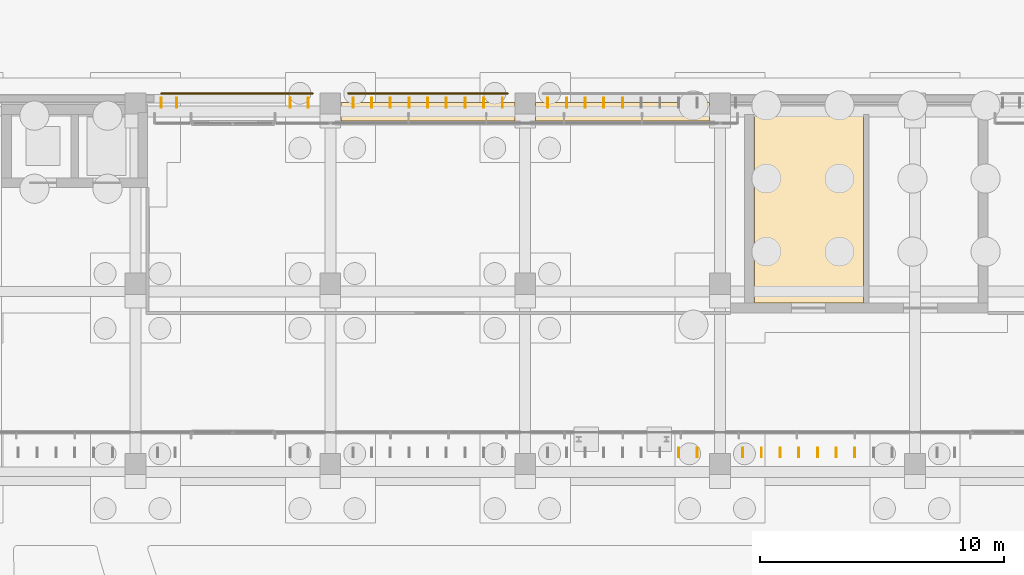
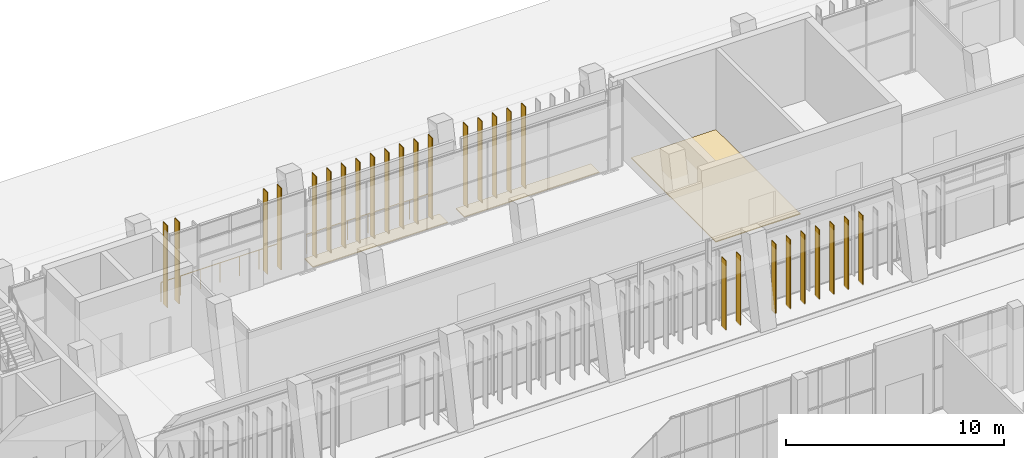
# One storey, part 135 of 144: 27 shading devices, 3 coverings, 2 railings.
"""IFC4 building model written with IfcOpenShell, lengths in metres."""

from ifc_helpers import new_model, si_unit, direction, frame, origin, origin_2d, place, context, subcontext, project, spatial, polyline, rectangle, circle, outline, extrude, material, layer, layer_set, type_object, element, save


model = new_model("IFC4")

# Units and contexts
model_context = context("Model", 3, precision=1e-05, world=origin(), true_north=direction((0.0, 1.0)))
body_context = subcontext(model_context, "Body", "Model", "MODEL_VIEW")
ifc_project = project(units=[si_unit("LENGTHUNIT", "METRE"), si_unit("AREAUNIT", "SQUARE_METRE"), si_unit("VOLUMEUNIT", "CUBIC_METRE"), si_unit("PLANEANGLEUNIT", "RADIAN"), si_unit("MASSUNIT", "GRAM", prefix="KILO")], contexts=[model_context])

# Site, building, storey
site_placement = place(None, origin())
site = spatial("IfcSite", under=ifc_project, at=site_placement, CompositionType="ELEMENT")
building_placement = place(site_placement, origin())
building = spatial("IfcBuilding", under=site, at=building_placement, Name="Lantern Court Media Centre", CompositionType="ELEMENT")
storey_placement = place(building_placement, origin())
storey = spatial("IfcBuildingStorey", under=building, at=storey_placement, Name="L00", CompositionType="ELEMENT", Elevation=0.0)

# Coverings
ifc_material_1 = material(Name="Carpet")
ifc_layer_1 = layer(ifc_material_1, 0.050048828125)
ifc_layer_set_1 = layer_set([ifc_layer_1], Name="Carpet")
covering_type = type_object("IfcCoveringType", Name="Carpet floor finish", PredefinedType="FLOORING", material=ifc_layer_set_1)
covering_1_placement = place(storey_placement, origin())
element("IfcCovering", 1, at=covering_1_placement, inside=storey, type_object=covering_type, Name="Server Room 01 floor finish", PredefinedType="FLOORING", context=body_context, shape_type="SweptSolid", body=[
    extrude(outline(polyline([(57.405029296875, 103.455078125), (57.405029296875, 111.195068359375), (61.885009765625, 111.195068359375), (61.885009765625, 103.455078125), (57.405029296875, 103.455078125)])), origin(), (0.0, 0.0, 1.0), 0.050048828125),
])
covering_2_placement = place(storey_placement, origin())
element("IfcCovering", 2, at=covering_2_placement, inside=storey, type_object=covering_type, Name="Newsroom floor finish", PredefinedType="FLOORING", context=body_context, shape_type="SweptSolid", body=[
    extrude(outline(polyline([(55.570068359375, 111.699951171875), (55.570068359375, 110.929931640625), (48.429931640625, 110.929931640625), (48.429931640625, 111.699951171875), (55.570068359375, 111.699951171875)])), origin(), (0.0, 0.0, 1.0), 0.050048828125),
])
covering_3_placement = place(storey_placement, origin())
element("IfcCovering", 3, at=covering_3_placement, inside=storey, type_object=covering_type, Name="Newsroom floor finish", PredefinedType="FLOORING", context=body_context, shape_type="SweptSolid", body=[
    extrude(outline(polyline([(47.570068359375, 111.699951171875), (47.570068359375, 110.929931640625), (40.429931640625, 110.929931640625), (40.429931640625, 111.699951171875), (47.570068359375, 111.699951171875)])), origin(), (0.0, 0.0, 1.0), 0.050048828125),
])

# Railings
ifc_material_2 = material(Name="Powder-coated steel", Category="steel")
railing_type = type_object("IfcRailingType", Name="Floor edge guard 1100", PredefinedType="GUARDRAIL", material=ifc_material_2)
railing_1_placement = place(storey_placement, frame((47.27490234375, 112.06005859375, 0.0)))
element("IfcRailing", 4, at=railing_1_placement, inside=storey, type_object=railing_type, Name="L00 opening guard 23", PredefinedType="GUARDRAIL", context=body_context, shape_type="SweptSolid", body=[
    extrude(circle(Radius=0.02392578125, at=origin_2d()), frame((0.0, 0.0, 1.076171875), z_axis=(-1.0, 0.0, 0.0), x_axis=(0.0, -1.0, 0.0)), (0.0, 0.0, 1.0), 6.5498046875),
    extrude(circle(Radius=0.02099609375, at=origin_2d()), origin(), (0.0, 0.0, 1.0), 1.052001953125),
    extrude(circle(Radius=0.02099609375, at=origin_2d()), frame((-1.091552734375, 0.0, 0.0)), (0.0, 0.0, 1.0), 1.052001953125),
    extrude(circle(Radius=0.02099609375, at=origin_2d()), frame((-2.183349609375, 0.0, 0.0)), (0.0, 0.0, 1.0), 1.052001953125),
    extrude(circle(Radius=0.02099609375, at=origin_2d()), frame((-3.27490234375, 0.0, 0.0)), (0.0, 0.0, 1.0), 1.052001953125),
    extrude(circle(Radius=0.02099609375, at=origin_2d()), frame((-4.366455078125, 0.0, 0.0)), (0.0, 0.0, 1.0), 1.052001953125),
    extrude(circle(Radius=0.02099609375, at=origin_2d()), frame((-5.458251953125, 0.0, 0.0)), (0.0, 0.0, 1.0), 1.052001953125),
    extrude(circle(Radius=0.02099609375, at=origin_2d()), frame((-6.5498046875, 0.0, 0.0)), (0.0, 0.0, 1.0), 1.052001953125),
])
railing_2_placement = place(storey_placement, frame((39.27490234375, 112.06005859375, 0.0)))
element("IfcRailing", 5, at=railing_2_placement, inside=storey, type_object=railing_type, Name="L00 opening guard 24", PredefinedType="GUARDRAIL", context=body_context, shape_type="SweptSolid", body=[
    extrude(circle(Radius=0.02392578125, at=origin_2d()), frame((0.0, 0.0, 1.076171875), z_axis=(-1.0, 0.0, 0.0), x_axis=(0.0, -1.0, 0.0)), (0.0, 0.0, 1.0), 6.224853515625),
    extrude(circle(Radius=0.02099609375, at=origin_2d()), origin(), (0.0, 0.0, 1.0), 1.052001953125),
    extrude(circle(Radius=0.02099609375, at=origin_2d()), frame((-1.03759765625, 0.0, 0.0)), (0.0, 0.0, 1.0), 1.052001953125),
    extrude(circle(Radius=0.02099609375, at=origin_2d()), frame((-2.074951171875, 0.0, 0.0)), (0.0, 0.0, 1.0), 1.052001953125),
    extrude(circle(Radius=0.02099609375, at=origin_2d()), frame((-3.1123046875, 0.0, 0.0)), (0.0, 0.0, 1.0), 1.052001953125),
    extrude(circle(Radius=0.02099609375, at=origin_2d()), frame((-4.14990234375, 0.0, 0.0)), (0.0, 0.0, 1.0), 1.052001953125),
    extrude(circle(Radius=0.02099609375, at=origin_2d()), frame((-5.1875, 0.0, 0.0)), (0.0, 0.0, 1.0), 1.052001953125),
    extrude(circle(Radius=0.02099609375, at=origin_2d()), frame((-6.224853515625, 0.0, 0.0)), (0.0, 0.0, 1.0), 1.052001953125),
])

# Shading devices
ifc_material_3 = material(Name="Bronze anodised aluminium louvre", Category="aluminium")
ifc_layer_2 = layer(ifc_material_3, 0.0400390625)
ifc_layer_set_2 = layer_set([ifc_layer_2], Name="Bronze anodised aluminium louvre")
shading_device_type_1 = type_object("IfcShadingDeviceType", Name="Vertical louvre 40x400 full storey", PredefinedType="USERDEFINED", material=ifc_layer_set_2)
for number, where, z_axis, x_axis, name in (
    (6, (33.0625, 111.679931640625, 0.0), (0.0, 0.0, 1.0), (1.0, 0.0, 0.0), "Vertical louvre N outer L00"),
    (7, (33.6875, 111.679931640625, 0.0), (0.0, 0.0, 1.0), (1.0, 0.0, 0.0), "Vertical louvre N outer L00"),
    (8, (38.362548828125, 111.679931640625, 0.0), (0.0, 0.0, 1.0), (1.0, 0.0, 0.0), "Vertical louvre N outer L00"),
    (9, (39.08740234375, 111.679931640625, 0.0), (0.0, 0.0, 1.0), (1.0, 0.0, 0.0), "Vertical louvre N outer L00"),
    (10, (40.933349609375, 111.679931640625, 0.0), (0.0, 0.0, 1.0), (1.0, 0.0, 0.0), "Vertical louvre N outer L00"),
    (11, (41.699951171875, 111.679931640625, 0.0), (0.0, 0.0, 1.0), (1.0, 0.0, 0.0), "Vertical louvre N outer L00"),
    (12, (42.466552734375, 111.679931640625, 0.0), (0.0, 0.0, 1.0), (1.0, 0.0, 0.0), "Vertical louvre N outer L00"),
    (13, (43.2333984375, 111.679931640625, 0.0), (0.0, 0.0, 1.0), (1.0, 0.0, 0.0), "Vertical louvre N outer L00"),
    (14, (44.0, 111.679931640625, 0.0), (0.0, 0.0, 1.0), (1.0, 0.0, 0.0), "Vertical louvre N outer L00"),
    (15, (44.7666015625, 111.679931640625, 0.0), (0.0, 0.0, 1.0), (1.0, 0.0, 0.0), "Vertical louvre N outer L00"),
    (16, (45.533447265625, 111.679931640625, 0.0), (0.0, 0.0, 1.0), (1.0, 0.0, 0.0), "Vertical louvre N outer L00"),
    (17, (46.300048828125, 111.679931640625, 0.0), (0.0, 0.0, 1.0), (1.0, 0.0, 0.0), "Vertical louvre N outer L00"),
    (18, (47.066650390625, 111.679931640625, 0.0), (0.0, 0.0, 1.0), (1.0, 0.0, 0.0), "Vertical louvre N outer L00"),
    (19, (48.933349609375, 111.679931640625, 0.0), (0.0, 0.0, 1.0), (1.0, 0.0, 0.0), "Vertical louvre N outer L00"),
    (20, (49.699951171875, 111.679931640625, 0.0), (0.0, 0.0, 1.0), (1.0, 0.0, 0.0), "Vertical louvre N outer L00"),
    (21, (50.466552734375, 111.679931640625, 0.0), (0.0, 0.0, 1.0), (1.0, 0.0, 0.0), "Vertical louvre N outer L00"),
    (22, (51.2333984375, 111.679931640625, 0.0), (0.0, 0.0, 1.0), (1.0, 0.0, 0.0), "Vertical louvre N outer L00"),
    (23, (52.0, 111.679931640625, 0.0), (0.0, 0.0, 1.0), (1.0, 0.0, 0.0), "Vertical louvre N outer L00"),
):
    element("IfcShadingDevice", number, at=place(storey_placement, frame(where, z_axis=z_axis, x_axis=x_axis)), inside=storey, type_object=shading_device_type_1, Name=name, ObjectType="VERTICAL LOUVRE", PredefinedType="USERDEFINED", context=body_context, shape_type="SweptSolid", body=[
        extrude(rectangle(XDim=0.0400390625, YDim=0.39990234375, at=origin_2d()), origin(), (0.0, 0.0, 1.0), 4.580078125),
    ])
ifc_layer_3 = layer(ifc_material_3, 0.0400390625)
ifc_layer_set_3 = layer_set([ifc_layer_3], Name="Bronze anodised aluminium louvre")
shading_device_type_2 = type_object("IfcShadingDeviceType", Name="Vertical louvre 40x400 under beam", PredefinedType="USERDEFINED", material=ifc_layer_set_3)
for number, where, z_axis, x_axis, name in (
    (24, (54.300048828125, 97.320068359375, 0.0), (0.0, 0.0, 1.0), (1.0, 0.0, 0.0), "Vertical louvre N inner L00"),
    (25, (55.066650390625, 97.320068359375, 0.0), (0.0, 0.0, 1.0), (1.0, 0.0, 0.0), "Vertical louvre N inner L00"),
    (26, (56.933349609375, 97.320068359375, 0.0), (0.0, 0.0, 1.0), (1.0, 0.0, 0.0), "Vertical louvre N inner L00"),
    (27, (57.699951171875, 97.320068359375, 0.0), (0.0, 0.0, 1.0), (1.0, 0.0, 0.0), "Vertical louvre N inner L00"),
    (28, (58.466552734375, 97.320068359375, 0.0), (0.0, 0.0, 1.0), (1.0, 0.0, 0.0), "Vertical louvre N inner L00"),
    (29, (59.2333984375, 97.320068359375, 0.0), (0.0, 0.0, 1.0), (1.0, 0.0, 0.0), "Vertical louvre N inner L00"),
    (30, (60.0, 97.320068359375, 0.0), (0.0, 0.0, 1.0), (1.0, 0.0, 0.0), "Vertical louvre N inner L00"),
    (31, (60.7666015625, 97.320068359375, 0.0), (0.0, 0.0, 1.0), (1.0, 0.0, 0.0), "Vertical louvre N inner L00"),
    (32, (61.533447265625, 97.320068359375, 0.0), (0.0, 0.0, 1.0), (1.0, 0.0, 0.0), "Vertical louvre N inner L00"),
):
    element("IfcShadingDevice", number, at=place(storey_placement, frame(where, z_axis=z_axis, x_axis=x_axis)), inside=storey, type_object=shading_device_type_2, Name=name, ObjectType="VERTICAL LOUVRE", PredefinedType="USERDEFINED", context=body_context, shape_type="SweptSolid", body=[
        extrude(rectangle(XDim=0.0400390625, YDim=0.39990234375, at=origin_2d()), origin(), (0.0, 0.0, 1.0), 3.89990234375),
    ])

save(model, "model.ifc")
